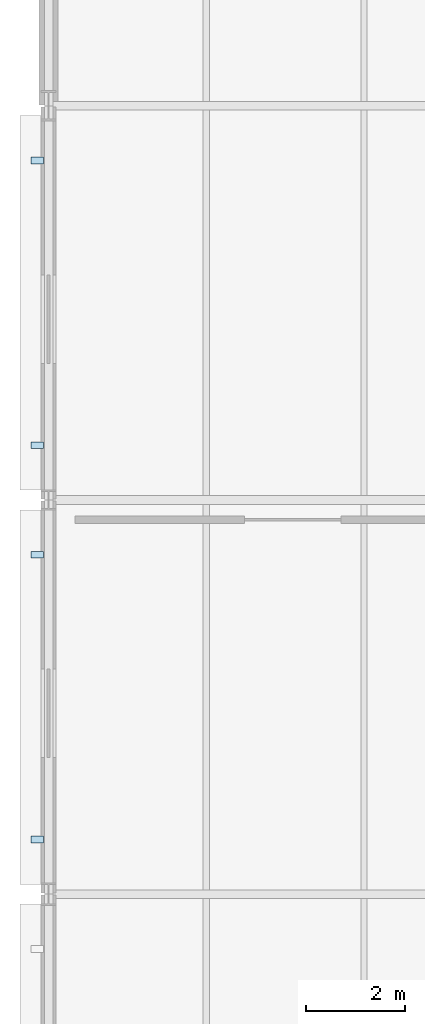
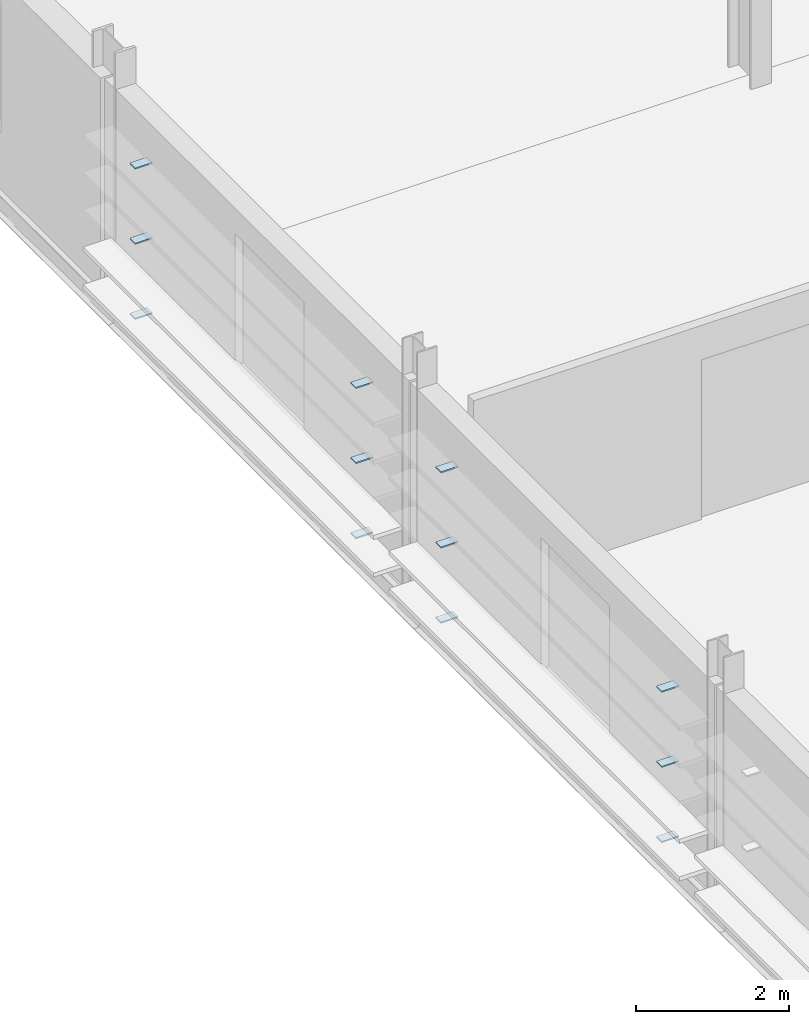
# One storey, part 68 of 85: 12 plates.
"""IFC4 building model written with IfcOpenShell, lengths in metres."""

from ifc_helpers import new_model, si_unit, direction, frame, origin, origin_2d, place, context, subcontext, project, spatial, rectangle, extrude, material, layer, layer_set, type_object, element, save


model = new_model("IFC4")

# Units and contexts
model_context = context("Model", 3, precision=1e-05, world=origin(), true_north=direction((0.0, 1.0)))
body_context = subcontext(model_context, "Body", "Model", "MODEL_VIEW")
ifc_project = project(units=[si_unit("LENGTHUNIT", "METRE"), si_unit("AREAUNIT", "SQUARE_METRE"), si_unit("VOLUMEUNIT", "CUBIC_METRE"), si_unit("PLANEANGLEUNIT", "RADIAN"), si_unit("MASSUNIT", "GRAM", prefix="KILO")], contexts=[model_context])

# Site, building, storey
site_placement = place(None, origin())
site = spatial("IfcSite", under=ifc_project, at=site_placement, CompositionType="ELEMENT")
building_placement = place(site_placement, origin())
building = spatial("IfcBuilding", under=site, at=building_placement, Name="Alderhovde Museum", CompositionType="ELEMENT")
storey_placement = place(building_placement, frame((0.0, 0.0, 8.699951171875)))
storey = spatial("IfcBuildingStorey", under=building, at=storey_placement, Name="L02", CompositionType="ELEMENT", Elevation=8.699951171875)

# Plates
ifc_material = material(Name="Steel S355J2", Category="steel")
ifc_layer = layer(ifc_material, 0.02001953125)
ifc_layer_set = layer_set([ifc_layer], Name="Steel S355J2")
plate_type = type_object("IfcPlateType", Name="LV-BRACKET", PredefinedType="USERDEFINED", material=ifc_layer_set)
for number, where, z_axis, x_axis, name in (
    (1, (9.3701171875, 65.112060546875, 0.2900390625), (0.0, 0.0, 1.0), (0.0, 1.0, 0.0), "L02 Louvre Support Bracket 72-1"),
    (2, (9.3701171875, 70.887939453125, 0.2900390625), (0.0, 0.0, 1.0), (0.0, 1.0, 0.0), "L02 Louvre Support Bracket 72-2"),
    (3, (9.3701171875, 65.112060546875, 1.489990234375), (0.0, 0.0, 1.0), (0.0, 1.0, 0.0), "L02 Louvre Support Bracket 74-1"),
    (4, (9.3701171875, 70.887939453125, 1.489990234375), (0.0, 0.0, 1.0), (0.0, 1.0, 0.0), "L02 Louvre Support Bracket 74-2"),
    (5, (9.3701171875, 65.112060546875, 2.68994140625), (0.0, 0.0, 1.0), (0.0, 1.0, 0.0), "L02 Louvre Support Bracket 76-1"),
    (6, (9.3701171875, 70.887939453125, 2.68994140625), (0.0, 0.0, 1.0), (0.0, 1.0, 0.0), "L02 Louvre Support Bracket 76-2"),
    (7, (9.3701171875, 73.112060546875, 0.2900390625), (0.0, 0.0, 1.0), (0.0, 1.0, 0.0), "L02 Louvre Support Bracket 77-1"),
    (8, (9.3701171875, 78.887939453125, 0.2900390625), (0.0, 0.0, 1.0), (0.0, 1.0, 0.0), "L02 Louvre Support Bracket 77-2"),
    (9, (9.3701171875, 73.112060546875, 1.489990234375), (0.0, 0.0, 1.0), (0.0, 1.0, 0.0), "L02 Louvre Support Bracket 79-1"),
    (10, (9.3701171875, 78.887939453125, 1.489990234375), (0.0, 0.0, 1.0), (0.0, 1.0, 0.0), "L02 Louvre Support Bracket 79-2"),
    (11, (9.3701171875, 73.112060546875, 2.68994140625), (0.0, 0.0, 1.0), (0.0, 1.0, 0.0), "L02 Louvre Support Bracket 81-1"),
    (12, (9.3701171875, 78.887939453125, 2.68994140625), (0.0, 0.0, 1.0), (0.0, 1.0, 0.0), "L02 Louvre Support Bracket 81-2"),
):
    element("IfcPlate", number, at=place(storey_placement, frame(where, z_axis=z_axis, x_axis=x_axis)), inside=storey, type_object=plate_type, Name=name, ObjectType="BRACKET PLATE", PredefinedType="USERDEFINED", context=body_context, shape_type="SweptSolid", body=[
        extrude(rectangle(XDim=0.139892578125, YDim=0.260009765625, at=origin_2d()), origin(), (0.0, 0.0, 1.0), 0.02001953125),
    ])

save(model, "model.ifc")
